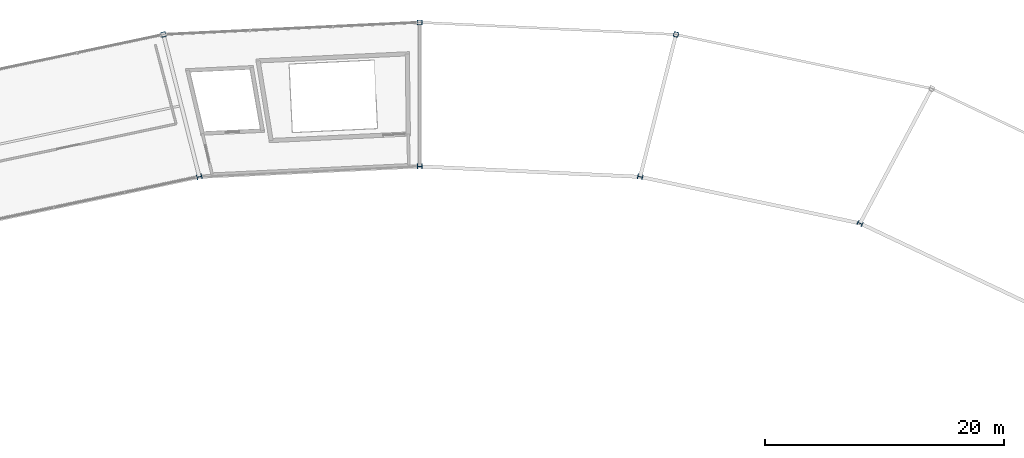
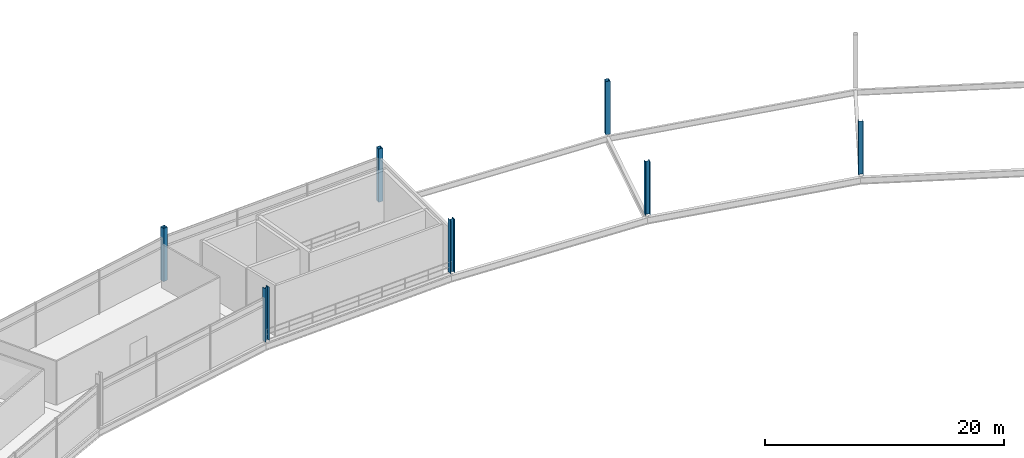
# One storey, part 10 of 86: 7 columns.
"""IFC4 building model written with IfcOpenShell, lengths in metres."""

from ifc_helpers import new_model, si_unit, direction, frame, origin, origin_2d, place, context, subcontext, project, spatial, hollow_rectangle, i_section, extrude, material, material_profile, profile_set, type_object, element, save


model = new_model("IFC4")

# Units and contexts
model_context = context("Model", 3, precision=1e-05, world=origin(), true_north=direction((0.0, 1.0)))
body_context = subcontext(model_context, "Body", "Model", "MODEL_VIEW")
ifc_project = project(units=[si_unit("LENGTHUNIT", "METRE"), si_unit("AREAUNIT", "SQUARE_METRE"), si_unit("VOLUMEUNIT", "CUBIC_METRE"), si_unit("PLANEANGLEUNIT", "RADIAN"), si_unit("MASSUNIT", "GRAM", prefix="KILO")], contexts=[model_context])

# Site, building, storey
site_placement = place(None, origin())
site = spatial("IfcSite", under=ifc_project, at=site_placement, CompositionType="ELEMENT")
building_placement = place(site_placement, origin())
building = spatial("IfcBuilding", under=site, at=building_placement, Name="Kazemori Nagisa Stadium", CompositionType="ELEMENT")
storey_placement = place(building_placement, frame((0.0, 0.0, 31.280029296875)))
storey = spatial("IfcBuildingStorey", under=building, at=storey_placement, Name="L06", CompositionType="ELEMENT", Elevation=31.280029296875)

# Columns
ifc_material_1 = material(Name="Steel SN490B", Category="steel")
ifc_material_profile_1 = material_profile(ifc_material_1, i_section(OverallWidth=0.406982421875, OverallDepth=0.427978515625, WebThickness=0.02001953125, FlangeThickness=0.034912109375, FilletRadius=0.012939453125, at=origin_2d()), Name="H-428x407x20x35")
ifc_profile_set_1 = profile_set([ifc_material_profile_1], Name="Steel SN490B")
column_type_1 = type_object("IfcColumnType", Name="Column_C-H428", PredefinedType="COLUMN", material=ifc_profile_set_1)
for number, where, z_axis, x_axis, name in (
    (1, (159.81201171875, 171.19921875, 0.0), (0.0, 0.0, 1.0), (0.433883739113, 0.900968867905, 0.0), "Column C-H428 L06 R2-06"),
    (2, (141.427734375, 175.088623046875, 0.0), (0.0, 0.0, 1.0), (0.222520933954, 0.974927912182, 0.0), "Column C-H428 L06 R2-07"),
    (3, (123.0, 175.9599609375, 0.0), (0.0, 0.0, 1.0), (0.0, 1.0, 0.0), "Column C-H428 L06 R2-08"),
    (4, (104.572265625, 175.088623046875, 0.0), (0.0, 0.0, 1.0), (-0.222520933954, 0.974927912182, 0.0), "Column C-H428 L06 R2-09"),
):
    element("IfcColumn", number, at=place(storey_placement, frame(where, z_axis=z_axis, x_axis=x_axis)), inside=storey, type_object=column_type_1, Name=name, PredefinedType="COLUMN", context=body_context, shape_type="SweptSolid", body=[
        extrude(i_section(OverallWidth=0.406982421875, OverallDepth=0.427978515625, WebThickness=0.02001953125, FlangeThickness=0.034912109375, FilletRadius=0.012939453125, at=origin_2d()), origin(), (0.0, 0.0, 1.0), 5.43994140625),
    ])
ifc_material_2 = material(Name="Steel STKR490", Category="steel")
ifc_material_profile_2 = material_profile(ifc_material_2, hollow_rectangle(XDim=0.39990234375, YDim=0.39990234375, WallThickness=0.01904296875, at=origin_2d()), Name="SHS-400x400x19")
ifc_profile_set_2 = profile_set([ifc_material_profile_2], Name="Steel STKR490")
column_type_2 = type_object("IfcColumnType", Name="Column_C-ST400", PredefinedType="COLUMN", material=ifc_profile_set_2)
for number, where, z_axis, x_axis, name in (
    (5, (144.427734375, 186.98681640625, 0.0), (0.0, 0.0, 1.0), (0.222520933954, 0.974927912182, 0.0), "Column C-ST400 L06 R3-07"),
    (6, (123.0, 188.0, 0.0), (0.0, 0.0, 1.0), (0.0, 1.0, 0.0), "Column C-ST400 L06 R3-08"),
    (7, (101.572265625, 186.98681640625, 0.0), (0.0, 0.0, 1.0), (-0.222520933954, 0.974927912182, 0.0), "Column C-ST400 L06 R3-09"),
):
    element("IfcColumn", number, at=place(storey_placement, frame(where, z_axis=z_axis, x_axis=x_axis)), inside=storey, type_object=column_type_2, Name=name, PredefinedType="COLUMN", context=body_context, shape_type="SweptSolid", body=[
        extrude(hollow_rectangle(XDim=0.39990234375, YDim=0.39990234375, WallThickness=0.01904296875, at=origin_2d()), origin(), (0.0, 0.0, 1.0), 5.43994140625),
    ])

save(model, "model.ifc")
